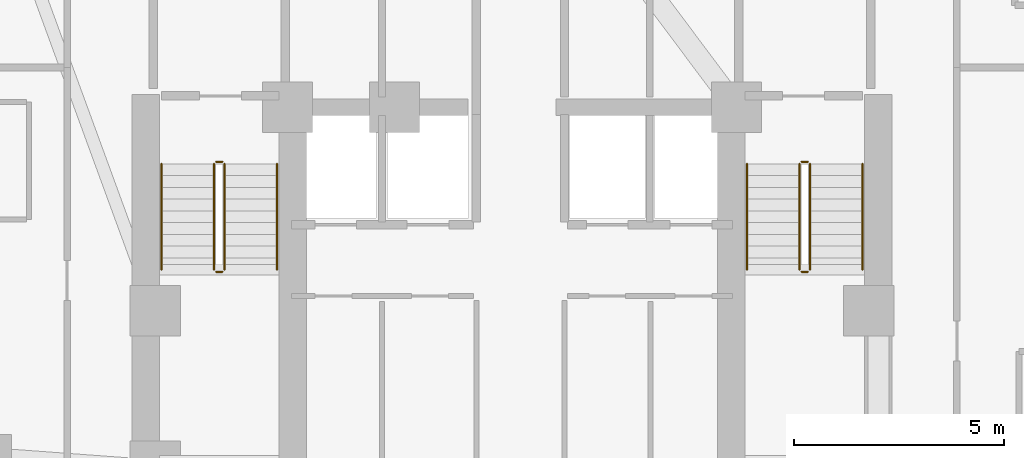
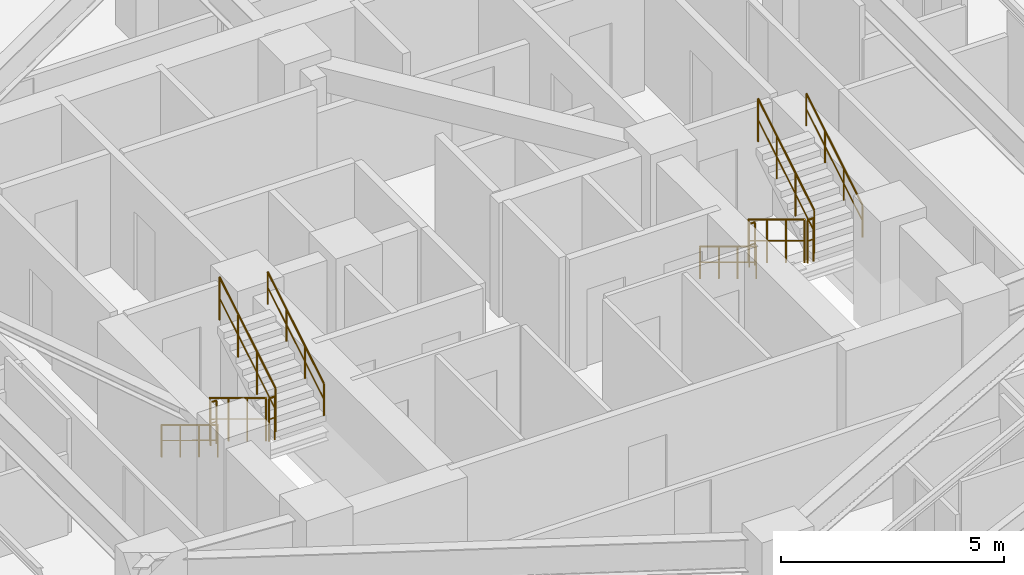
# One storey, part 11 of 11: 12 railings.
"""IFC4 building model written with IfcOpenShell, lengths in metres."""

from ifc_helpers import new_model, si_unit, direction, frame, origin, origin_2d, place, context, subcontext, project, spatial, circle, extrude, material, type_object, element, save


model = new_model("IFC4")

# Units and contexts
model_context = context("Model", 3, precision=1e-05, world=origin(), true_north=direction((0.0, 1.0)))
body_context = subcontext(model_context, "Body", "Model", "MODEL_VIEW")
ifc_project = project(units=[si_unit("LENGTHUNIT", "METRE"), si_unit("AREAUNIT", "SQUARE_METRE"), si_unit("VOLUMEUNIT", "CUBIC_METRE"), si_unit("PLANEANGLEUNIT", "RADIAN"), si_unit("MASSUNIT", "GRAM", prefix="KILO")], contexts=[model_context])

# Site, building, storey
site_placement = place(None, origin())
site = spatial("IfcSite", under=ifc_project, at=site_placement, CompositionType="ELEMENT")
building_placement = place(site_placement, origin())
building = spatial("IfcBuilding", under=site, at=building_placement, Name="Miruveldt Soraemaru", CompositionType="ELEMENT")
storey_placement = place(building_placement, frame((0.0, 0.0, 66.60009765625)))
storey = spatial("IfcBuildingStorey", under=building, at=storey_placement, Name="L18", CompositionType="ELEMENT", Elevation=66.60009765625)

# Railings
ifc_material = material(Name="Steel S355 (355 MPa)", Category="steel")
railing_type_1 = type_object("IfcRailingType", Name="RAIL-HR-900", PredefinedType="HANDRAIL", material=ifc_material)
railing_1_placement = place(storey_placement, frame((35.64990234375, 42.699951171875, 0.169921875)))
element("IfcRailing", 1, at=railing_1_placement, inside=storey, type_object=railing_type_1, Name="L18 ST-1 stair handrail 1", PredefinedType="HANDRAIL", context=body_context, shape_type="SweptSolid", body=[
    extrude(circle(Radius=0.02392578125, at=origin_2d()), frame((0.0, 0.0, 0.8759765625), z_axis=(0.0, -0.85478489116, 0.518982456201), x_axis=(1.0, 0.0, 0.0)), (0.0, 0.0, 1.0), 2.9482421875),
    extrude(circle(Radius=0.01611328125, at=origin_2d()), frame((0.0, 0.0, 0.449951171875), z_axis=(0.0, -0.85478489116, 0.518982456201), x_axis=(1.0, 0.0, 0.0)), (0.0, 0.0, 1.0), 2.9482421875),
    extrude(circle(Radius=0.02099609375, at=origin_2d()), origin(), (0.0, 0.0, 1.0), 0.851806640625),
    extrude(circle(Radius=0.02099609375, at=origin_2d()), frame((0.0, -0.840087890625, 0.510009765625)), (0.0, 0.0, 1.0), 0.851806640625),
    extrude(circle(Radius=0.02099609375, at=origin_2d()), frame((0.0, -1.679931640625, 1.02001953125)), (0.0, 0.0, 1.0), 0.851806640625),
    extrude(circle(Radius=0.02099609375, at=origin_2d()), frame((0.0, -2.52001953125, 1.530029296875)), (0.0, 0.0, 1.0), 0.851806640625),
])
railing_2_placement = place(storey_placement, frame((38.39990234375, 40.179931640625, 1.869873046875)))
element("IfcRailing", 2, at=railing_2_placement, inside=storey, type_object=railing_type_1, Name="L18 ST-1 stair handrail 2", PredefinedType="HANDRAIL", context=body_context, shape_type="SweptSolid", body=[
    extrude(circle(Radius=0.02392578125, at=origin_2d()), frame((0.0, 0.0, 0.8759765625), z_axis=(0.0, 0.85478489116, 0.518982456201), x_axis=(-1.0, 0.0, 0.0)), (0.0, 0.0, 1.0), 2.9482421875),
    extrude(circle(Radius=0.01611328125, at=origin_2d()), frame((0.0, 0.0, 0.449951171875), z_axis=(0.0, 0.85478489116, 0.518982456201), x_axis=(-1.0, 0.0, 0.0)), (0.0, 0.0, 1.0), 2.9482421875),
    extrude(circle(Radius=0.02099609375, at=origin_2d()), origin(), (0.0, 0.0, 1.0), 0.851806640625),
    extrude(circle(Radius=0.02099609375, at=origin_2d()), frame((0.0, 0.840087890625, 0.510009765625)), (0.0, 0.0, 1.0), 0.851806640625),
    extrude(circle(Radius=0.02099609375, at=origin_2d()), frame((0.0, 1.679931640625, 1.02001953125)), (0.0, 0.0, 1.0), 0.851806640625),
    extrude(circle(Radius=0.02099609375, at=origin_2d()), frame((0.0, 2.52001953125, 1.530029296875)), (0.0, 0.0, 1.0), 0.851806640625),
])
railing_3_placement = place(storey_placement, frame((49.60009765625, 42.699951171875, 0.169921875)))
element("IfcRailing", 3, at=railing_3_placement, inside=storey, type_object=railing_type_1, Name="L18 ST-2 stair handrail 1", PredefinedType="HANDRAIL", context=body_context, shape_type="SweptSolid", body=[
    extrude(circle(Radius=0.02392578125, at=origin_2d()), frame((0.0, 0.0, 0.8759765625), z_axis=(0.0, -0.85478489116, 0.518982456201), x_axis=(1.0, 0.0, 0.0)), (0.0, 0.0, 1.0), 2.9482421875),
    extrude(circle(Radius=0.01611328125, at=origin_2d()), frame((0.0, 0.0, 0.449951171875), z_axis=(0.0, -0.85478489116, 0.518982456201), x_axis=(1.0, 0.0, 0.0)), (0.0, 0.0, 1.0), 2.9482421875),
    extrude(circle(Radius=0.02099609375, at=origin_2d()), origin(), (0.0, 0.0, 1.0), 0.851806640625),
    extrude(circle(Radius=0.02099609375, at=origin_2d()), frame((0.0, -0.840087890625, 0.510009765625)), (0.0, 0.0, 1.0), 0.851806640625),
    extrude(circle(Radius=0.02099609375, at=origin_2d()), frame((0.0, -1.679931640625, 1.02001953125)), (0.0, 0.0, 1.0), 0.851806640625),
    extrude(circle(Radius=0.02099609375, at=origin_2d()), frame((0.0, -2.52001953125, 1.530029296875)), (0.0, 0.0, 1.0), 0.851806640625),
])
railing_4_placement = place(storey_placement, frame((52.35009765625, 40.179931640625, 1.869873046875)))
element("IfcRailing", 4, at=railing_4_placement, inside=storey, type_object=railing_type_1, Name="L18 ST-2 stair handrail 2", PredefinedType="HANDRAIL", context=body_context, shape_type="SweptSolid", body=[
    extrude(circle(Radius=0.02392578125, at=origin_2d()), frame((0.0, 0.0, 0.8759765625), z_axis=(0.0, 0.85478489116, 0.518982456201), x_axis=(-1.0, 0.0, 0.0)), (0.0, 0.0, 1.0), 2.9482421875),
    extrude(circle(Radius=0.01611328125, at=origin_2d()), frame((0.0, 0.0, 0.449951171875), z_axis=(0.0, 0.85478489116, 0.518982456201), x_axis=(-1.0, 0.0, 0.0)), (0.0, 0.0, 1.0), 2.9482421875),
    extrude(circle(Radius=0.02099609375, at=origin_2d()), origin(), (0.0, 0.0, 1.0), 0.851806640625),
    extrude(circle(Radius=0.02099609375, at=origin_2d()), frame((0.0, 0.840087890625, 0.510009765625)), (0.0, 0.0, 1.0), 0.851806640625),
    extrude(circle(Radius=0.02099609375, at=origin_2d()), frame((0.0, 1.679931640625, 1.02001953125)), (0.0, 0.0, 1.0), 0.851806640625),
    extrude(circle(Radius=0.02099609375, at=origin_2d()), frame((0.0, 2.52001953125, 1.530029296875)), (0.0, 0.0, 1.0), 0.851806640625),
])
railing_type_2 = type_object("IfcRailingType", Name="RAIL-STGUARD-1200", PredefinedType="GUARDRAIL", material=ifc_material)
railing_5_placement = place(storey_placement, frame((36.89990234375, 42.699951171875, 0.169921875)))
element("IfcRailing", 5, at=railing_5_placement, inside=storey, type_object=railing_type_2, Name="L18 ST-1 stair guard 1", PredefinedType="GUARDRAIL", context=body_context, shape_type="SweptSolid", body=[
    extrude(circle(Radius=0.02392578125, at=origin_2d()), frame((0.0, 0.0, 1.17578125), z_axis=(0.0, -0.85478489116, 0.518982456201), x_axis=(1.0, 0.0, 0.0)), (0.0, 0.0, 1.0), 2.9482421875),
    extrude(circle(Radius=0.01611328125, at=origin_2d()), frame((0.0, 0.0, 0.60009765625), z_axis=(0.0, -0.85478489116, 0.518982456201), x_axis=(1.0, 0.0, 0.0)), (0.0, 0.0, 1.0), 2.9482421875),
    extrude(circle(Radius=0.02099609375, at=origin_2d()), origin(), (0.0, 0.0, 1.0), 1.15185546875),
    extrude(circle(Radius=0.02099609375, at=origin_2d()), frame((0.0, -0.840087890625, 0.510009765625)), (0.0, 0.0, 1.0), 1.15185546875),
    extrude(circle(Radius=0.02099609375, at=origin_2d()), frame((0.0, -1.679931640625, 1.02001953125)), (0.0, 0.0, 1.0), 1.15185546875),
    extrude(circle(Radius=0.02099609375, at=origin_2d()), frame((0.0, -2.52001953125, 1.530029296875)), (0.0, 0.0, 1.0), 1.15185546875),
])
railing_6_placement = place(storey_placement, frame((36.949951171875, 40.1298828125, 1.699951171875)))
element("IfcRailing", 6, at=railing_6_placement, inside=storey, type_object=railing_type_2, Name="L18 ST-1 stair guard 2", PredefinedType="GUARDRAIL", context=body_context, shape_type="SweptSolid", body=[
    extrude(circle(Radius=0.02392578125, at=origin_2d()), frame((0.0, 0.0, 1.17578125), z_axis=(1.0, 0.0, 0.0), x_axis=(0.0, 1.0, 0.0)), (0.0, 0.0, 1.0), 0.150146484375),
    extrude(circle(Radius=0.01611328125, at=origin_2d()), frame((0.0, 0.0, 0.60009765625), z_axis=(1.0, 0.0, 0.0), x_axis=(0.0, 1.0, 0.0)), (0.0, 0.0, 1.0), 0.150146484375),
    extrude(circle(Radius=0.02099609375, at=origin_2d()), origin(), (0.0, 0.0, 1.0), 1.15185546875),
    extrude(circle(Radius=0.02099609375, at=origin_2d()), frame((0.150146484375, 0.0, 0.0)), (0.0, 0.0, 1.0), 1.15185546875),
])
railing_7_placement = place(storey_placement, frame((37.14990234375, 40.179931640625, 1.869873046875)))
element("IfcRailing", 7, at=railing_7_placement, inside=storey, type_object=railing_type_2, Name="L18 ST-1 stair guard 3", PredefinedType="GUARDRAIL", context=body_context, shape_type="SweptSolid", body=[
    extrude(circle(Radius=0.02392578125, at=origin_2d()), frame((0.0, 0.0, 1.17578125), z_axis=(0.0, 0.85478489116, 0.518982456201), x_axis=(-1.0, 0.0, 0.0)), (0.0, 0.0, 1.0), 2.9482421875),
    extrude(circle(Radius=0.01611328125, at=origin_2d()), frame((0.0, 0.0, 0.60009765625), z_axis=(0.0, 0.85478489116, 0.518982456201), x_axis=(-1.0, 0.0, 0.0)), (0.0, 0.0, 1.0), 2.9482421875),
    extrude(circle(Radius=0.02099609375, at=origin_2d()), origin(), (0.0, 0.0, 1.0), 1.15185546875),
    extrude(circle(Radius=0.02099609375, at=origin_2d()), frame((0.0, 0.840087890625, 0.510009765625)), (0.0, 0.0, 1.0), 1.15185546875),
    extrude(circle(Radius=0.02099609375, at=origin_2d()), frame((0.0, 1.679931640625, 1.02001953125)), (0.0, 0.0, 1.0), 1.15185546875),
    extrude(circle(Radius=0.02099609375, at=origin_2d()), frame((0.0, 2.52001953125, 1.530029296875)), (0.0, 0.0, 1.0), 1.15185546875),
])
railing_8_placement = place(storey_placement, frame((36.949951171875, 42.75, 0.0)))
element("IfcRailing", 8, at=railing_8_placement, inside=storey, type_object=railing_type_2, Name="L18 ST-1 stair guard 4", PredefinedType="GUARDRAIL", context=body_context, shape_type="SweptSolid", body=[
    extrude(circle(Radius=0.02392578125, at=origin_2d()), frame((0.0, 0.0, 1.17578125), z_axis=(1.0, 0.0, 0.0), x_axis=(0.0, 1.0, 0.0)), (0.0, 0.0, 1.0), 0.150146484375),
    extrude(circle(Radius=0.01611328125, at=origin_2d()), frame((0.0, 0.0, 0.60009765625), z_axis=(1.0, 0.0, 0.0), x_axis=(0.0, 1.0, 0.0)), (0.0, 0.0, 1.0), 0.150146484375),
    extrude(circle(Radius=0.02099609375, at=origin_2d()), origin(), (0.0, 0.0, 1.0), 1.15185546875),
    extrude(circle(Radius=0.02099609375, at=origin_2d()), frame((0.150146484375, 0.0, 0.0)), (0.0, 0.0, 1.0), 1.15185546875),
])
railing_9_placement = place(storey_placement, frame((50.85009765625, 42.699951171875, 0.169921875)))
element("IfcRailing", 9, at=railing_9_placement, inside=storey, type_object=railing_type_2, Name="L18 ST-2 stair guard 1", PredefinedType="GUARDRAIL", context=body_context, shape_type="SweptSolid", body=[
    extrude(circle(Radius=0.02392578125, at=origin_2d()), frame((0.0, 0.0, 1.17578125), z_axis=(0.0, -0.85478489116, 0.518982456201), x_axis=(1.0, 0.0, 0.0)), (0.0, 0.0, 1.0), 2.9482421875),
    extrude(circle(Radius=0.01611328125, at=origin_2d()), frame((0.0, 0.0, 0.60009765625), z_axis=(0.0, -0.85478489116, 0.518982456201), x_axis=(1.0, 0.0, 0.0)), (0.0, 0.0, 1.0), 2.9482421875),
    extrude(circle(Radius=0.02099609375, at=origin_2d()), origin(), (0.0, 0.0, 1.0), 1.15185546875),
    extrude(circle(Radius=0.02099609375, at=origin_2d()), frame((0.0, -0.840087890625, 0.510009765625)), (0.0, 0.0, 1.0), 1.15185546875),
    extrude(circle(Radius=0.02099609375, at=origin_2d()), frame((0.0, -1.679931640625, 1.02001953125)), (0.0, 0.0, 1.0), 1.15185546875),
    extrude(circle(Radius=0.02099609375, at=origin_2d()), frame((0.0, -2.52001953125, 1.530029296875)), (0.0, 0.0, 1.0), 1.15185546875),
])
railing_10_placement = place(storey_placement, frame((50.89990234375, 40.1298828125, 1.699951171875)))
element("IfcRailing", 10, at=railing_10_placement, inside=storey, type_object=railing_type_2, Name="L18 ST-2 stair guard 2", PredefinedType="GUARDRAIL", context=body_context, shape_type="SweptSolid", body=[
    extrude(circle(Radius=0.02392578125, at=origin_2d()), frame((0.0, 0.0, 1.17578125), z_axis=(1.0, 0.0, 0.0), x_axis=(0.0, 1.0, 0.0)), (0.0, 0.0, 1.0), 0.150146484375),
    extrude(circle(Radius=0.01611328125, at=origin_2d()), frame((0.0, 0.0, 0.60009765625), z_axis=(1.0, 0.0, 0.0), x_axis=(0.0, 1.0, 0.0)), (0.0, 0.0, 1.0), 0.150146484375),
    extrude(circle(Radius=0.02099609375, at=origin_2d()), origin(), (0.0, 0.0, 1.0), 1.15185546875),
    extrude(circle(Radius=0.02099609375, at=origin_2d()), frame((0.150146484375, 0.0, 0.0)), (0.0, 0.0, 1.0), 1.15185546875),
])
railing_11_placement = place(storey_placement, frame((51.10009765625, 40.179931640625, 1.869873046875)))
element("IfcRailing", 11, at=railing_11_placement, inside=storey, type_object=railing_type_2, Name="L18 ST-2 stair guard 3", PredefinedType="GUARDRAIL", context=body_context, shape_type="SweptSolid", body=[
    extrude(circle(Radius=0.02392578125, at=origin_2d()), frame((0.0, 0.0, 1.17578125), z_axis=(0.0, 0.85478489116, 0.518982456201), x_axis=(-1.0, 0.0, 0.0)), (0.0, 0.0, 1.0), 2.9482421875),
    extrude(circle(Radius=0.01611328125, at=origin_2d()), frame((0.0, 0.0, 0.60009765625), z_axis=(0.0, 0.85478489116, 0.518982456201), x_axis=(-1.0, 0.0, 0.0)), (0.0, 0.0, 1.0), 2.9482421875),
    extrude(circle(Radius=0.02099609375, at=origin_2d()), origin(), (0.0, 0.0, 1.0), 1.15185546875),
    extrude(circle(Radius=0.02099609375, at=origin_2d()), frame((0.0, 0.840087890625, 0.510009765625)), (0.0, 0.0, 1.0), 1.15185546875),
    extrude(circle(Radius=0.02099609375, at=origin_2d()), frame((0.0, 1.679931640625, 1.02001953125)), (0.0, 0.0, 1.0), 1.15185546875),
    extrude(circle(Radius=0.02099609375, at=origin_2d()), frame((0.0, 2.52001953125, 1.530029296875)), (0.0, 0.0, 1.0), 1.15185546875),
])
railing_12_placement = place(storey_placement, frame((50.89990234375, 42.75, 0.0)))
element("IfcRailing", 12, at=railing_12_placement, inside=storey, type_object=railing_type_2, Name="L18 ST-2 stair guard 4", PredefinedType="GUARDRAIL", context=body_context, shape_type="SweptSolid", body=[
    extrude(circle(Radius=0.02392578125, at=origin_2d()), frame((0.0, 0.0, 1.17578125), z_axis=(1.0, 0.0, 0.0), x_axis=(0.0, 1.0, 0.0)), (0.0, 0.0, 1.0), 0.150146484375),
    extrude(circle(Radius=0.01611328125, at=origin_2d()), frame((0.0, 0.0, 0.60009765625), z_axis=(1.0, 0.0, 0.0), x_axis=(0.0, 1.0, 0.0)), (0.0, 0.0, 1.0), 0.150146484375),
    extrude(circle(Radius=0.02099609375, at=origin_2d()), origin(), (0.0, 0.0, 1.0), 1.15185546875),
    extrude(circle(Radius=0.02099609375, at=origin_2d()), frame((0.150146484375, 0.0, 0.0)), (0.0, 0.0, 1.0), 1.15185546875),
])

save(model, "model.ifc")
